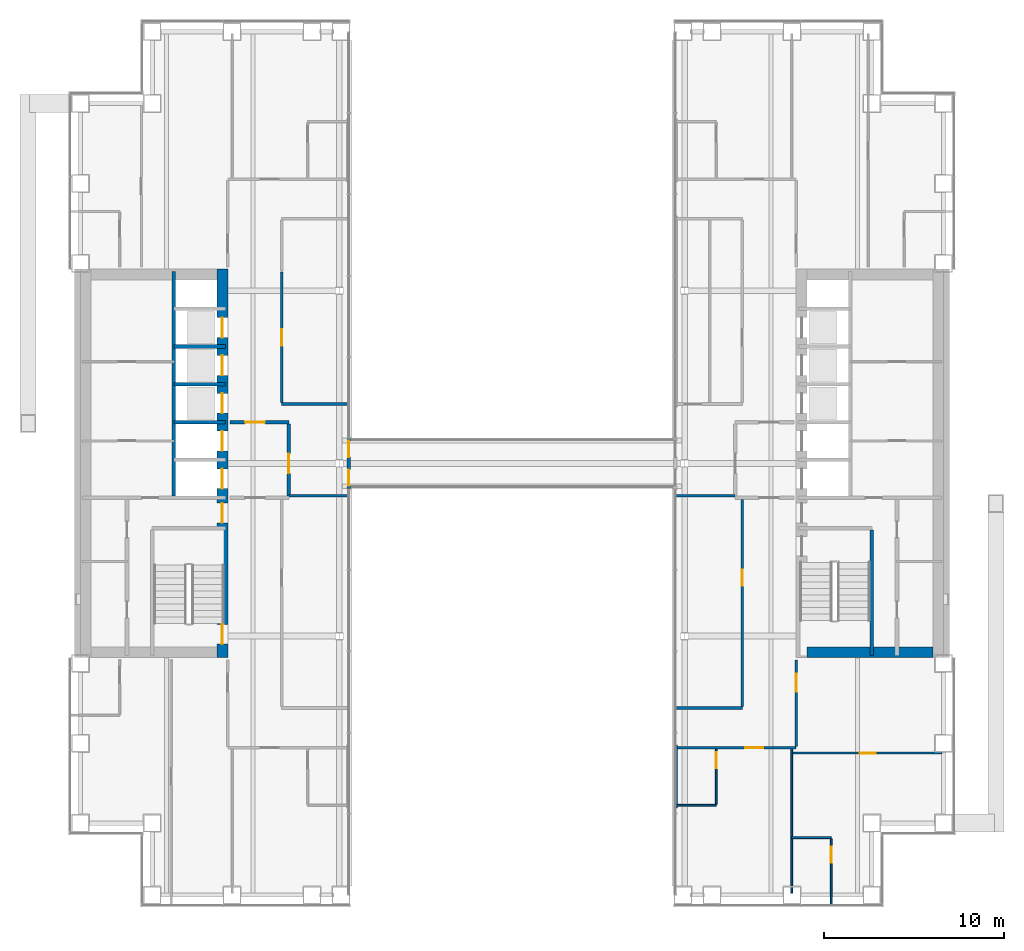
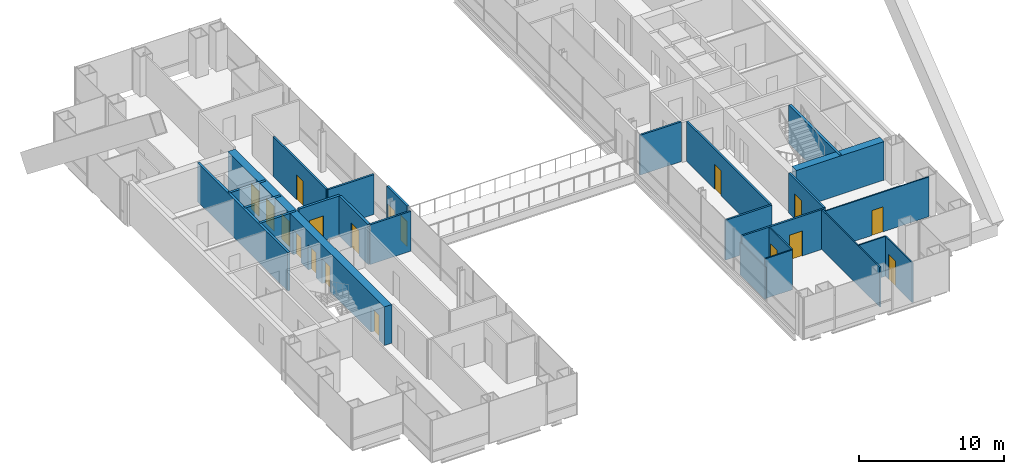
# One storey, part 15 of 19: 25 walls, 18 doors, 18 openings.
"""IFC4 building model written with IfcOpenShell, lengths in metres."""

import ifcopenshell
import ifcopenshell.guid

model = None  # the IFC model being written
_history = None  # IfcOwnerHistory: only IFC2X3 demands one
_inside = {}  # id of a spatial element -> (the spatial element, [elements in it])
_under = {}  # id of a project, library or spatial element -> (it, [spatial elements below it])
_declared = {}  # id of a project -> (the project, [libraries it declares])
_typed = {}  # id of a type object -> (the type object, [elements of that type])
_made_of = {}  # id of a material, layer set ... -> (it, [elements and type objects made of it])


def new_model(schema):
    """Start an empty IFC model of exactly this schema.

    Asked for "IFC4X3", IfcOpenShell would pick the latest addendum, in which some entities
    have other attributes; the version numbers below select the first issue.
    IFC2X3 requires an IfcOwnerHistory on every rooted entity: one is made here for all.
    """
    global model, _history
    if schema == "IFC4X3":
        model = ifcopenshell.file(schema_version=(4, 3, 0, 0))
    else:
        model = ifcopenshell.file(schema=schema)
    _inside.clear()
    _under.clear()
    _declared.clear()
    _typed.clear()
    _made_of.clear()
    _history = None
    if model.schema == "IFC2X3":
        org = make("IfcOrganization", Name="unknown")
        user = make(
            "IfcPersonAndOrganization",
            ThePerson=make("IfcPerson", FamilyName="unknown"),
            TheOrganization=org,
        )
        app = make(
            "IfcApplication",
            ApplicationDeveloper=org,
            Version="unknown",
            ApplicationFullName="unknown",
            ApplicationIdentifier="unknown",
        )
        _history = make(
            "IfcOwnerHistory",
            OwningUser=user,
            OwningApplication=app,
            ChangeAction="ADDED",
            CreationDate=0,
        )
    return model


def make(cls, **values):
    """One entity of the class cls with the attributes given. An attribute that is None is left unset."""
    return model.create_entity(
        cls, **{name: value for name, value in values.items() if value is not None}
    )


def rooted(cls, **values):
    """An entity with a GlobalId (a new one), such as an element, a storey or a relation."""
    return make(cls, GlobalId=ifcopenshell.guid.new(), OwnerHistory=_history, **values)


def si_unit(unit_type, name, prefix=None):
    """IfcSIUnit, for example si_unit("LENGTHUNIT", "METRE", prefix="MILLI")."""
    return make("IfcSIUnit", UnitType=unit_type, Prefix=prefix, Name=name)


def assignment(units):
    """IfcUnitAssignment: the units of a project."""
    return None if units is None else make("IfcUnitAssignment", Units=units)


def point(xyz):
    """IfcCartesianPoint."""
    return None if xyz is None else make("IfcCartesianPoint", Coordinates=xyz)


def direction(xyz):
    """IfcDirection."""
    return None if xyz is None else make("IfcDirection", DirectionRatios=xyz)


def frame(location, z_axis=None, x_axis=None):
    """IfcAxis2Placement3D, a coordinate frame: its origin and axes. An axis left out is left unset."""
    return make(
        "IfcAxis2Placement3D",
        Location=point(location),
        Axis=direction(z_axis),
        RefDirection=direction(x_axis),
    )


def frame_2d(location, x_axis=None):
    """IfcAxis2Placement2D, a coordinate frame in the plane: its origin and x axis."""
    return make(
        "IfcAxis2Placement2D", Location=point(location), RefDirection=direction(x_axis)
    )


def origin():
    """The frame at (0, 0, 0) with its axes left unset."""
    return frame((0.0, 0.0, 0.0))


def place(relative_to, where):
    """IfcLocalPlacement: puts the frame where relative to a parent placement (None: the world)."""
    return make(
        "IfcLocalPlacement", PlacementRelTo=relative_to, RelativePlacement=where
    )


def context(
    kind, dimensions, precision=None, world=None, true_north=None, identifier=None
):
    """IfcGeometricRepresentationContext, for example the 3D "Model" context."""
    return make(
        "IfcGeometricRepresentationContext",
        ContextIdentifier=identifier,
        ContextType=kind,
        CoordinateSpaceDimension=dimensions,
        Precision=precision,
        WorldCoordinateSystem=world,
        TrueNorth=true_north,
    )


def subcontext(parent, identifier, kind, view, scale=None):
    """IfcGeometricRepresentationSubContext, for example "Body" below "Model"."""
    return make(
        "IfcGeometricRepresentationSubContext",
        ContextIdentifier=identifier,
        ContextType=kind,
        ParentContext=parent,
        TargetScale=scale,
        TargetView=view,
    )


def project(units=None, contexts=None):
    """IfcProject with its units and contexts."""
    return rooted(
        "IfcProject",
        Name="project",
        RepresentationContexts=contexts,
        UnitsInContext=assignment(units),
    )


def spatial(cls, under=None, at=None, **own):
    """A site, building, storey or space (cls), placed at a placement, below another one or the project."""
    s = rooted(cls, ObjectPlacement=at, **own)
    if under is not None:
        _under.setdefault(under.id(), (under, []))[1].append(s)
    return s


def profile(cls, at=None, kind="AREA", **sizes):
    """A parametric profile (cls). Its sizes go by their IFC names, for example OverallWidth=200.0."""
    return make(cls, ProfileType=kind, Position=at, **sizes)


def rectangle(**sizes):
    """IfcRectangleProfileDef."""
    return profile("IfcRectangleProfileDef", **sizes)


def extrude(swept, where, along, depth):
    """IfcExtrudedAreaSolid: the profile swept, set in the frame where, extruded along a direction by depth."""
    return make(
        "IfcExtrudedAreaSolid",
        SweptArea=swept,
        Position=where,
        ExtrudedDirection=direction(along),
        Depth=depth,
    )


def shape(context_of_items, identifier, shape_type, items):
    """IfcShapeRepresentation: the items that make up one representation, for example the "Body"."""
    return make(
        "IfcShapeRepresentation",
        ContextOfItems=context_of_items,
        RepresentationIdentifier=identifier,
        RepresentationType=shape_type,
        Items=items,
    )


def material(Name=None, Category=None):
    """IfcMaterial."""
    return make("IfcMaterial", Name=Name, Category=Category)


def layer(
    of_material, thickness, ventilated=None, Name=None, Category=None, Priority=None
):
    """IfcMaterialLayer: one layer of a wall or slab, of a material (None: an air gap)."""
    return make(
        "IfcMaterialLayer",
        Material=of_material,
        LayerThickness=thickness,
        IsVentilated=ventilated,
        Name=Name,
        Category=Category,
        Priority=Priority,
    )


def layer_set(layers, Name=None):
    """IfcMaterialLayerSet."""
    return make("IfcMaterialLayerSet", MaterialLayers=layers, LayerSetName=Name)


def made_of(thing, what):
    """Note that an element or type object is made of a material, layer set ...; save() writes the relation."""
    if what is not None:
        _made_of.setdefault(what.id(), (what, []))[1].append(thing)
    return thing


def type_object(cls, material=None, **own):
    """A type object (cls), such as IfcWallType, which elements share."""
    return made_of(rooted(cls, **own), material)


def element(
    cls,
    number,
    at=None,
    inside=None,
    cuts=None,
    type_object=None,
    material=None,
    context=None,
    identifier="Body",
    shape_type=None,
    held_by="IfcProductDefinitionShape",
    body=None,
    shapes=None,
    **own,
):
    """One element of the class cls, such as IfcWall. Its Tag is "e" and its number.

    at: its placement. inside: the storey or other place that contains it. cuts: it is an
    opening in that element (IfcRelVoidsElement). A single representation is given by context,
    identifier, shape_type and body (its items); several are given by shapes. held_by: the class
    of the entity that holds the representations. save() writes the other relations.
    """
    e = rooted(cls, Tag="e%d" % number, ObjectPlacement=at, **own)
    if body is not None:
        shapes = [shape(context, identifier, shape_type, body)]
    if shapes is not None:
        e.Representation = make(held_by, Representations=shapes)
    if inside is not None:
        _inside.setdefault(inside.id(), (inside, []))[1].append(e)
    if cuts is not None:
        rooted(
            "IfcRelVoidsElement", RelatingBuildingElement=cuts, RelatedOpeningElement=e
        )
    if type_object is not None:
        _typed.setdefault(type_object.id(), (type_object, []))[1].append(e)
    return made_of(e, material)


def fill(opening, filler):
    """IfcRelFillsElement: the door or window that sits in an opening."""
    return rooted(
        "IfcRelFillsElement",
        RelatingOpeningElement=opening,
        RelatedBuildingElement=filler,
    )


def aggregate(whole, parts):
    """IfcRelAggregates: a whole, such as a stair, and the parts it consists of."""
    return rooted("IfcRelAggregates", RelatingObject=whole, RelatedObjects=parts)


def save(model, path):
    """Write the relations noted so far, then the file.

    IfcRelAggregates (storeys below a building ...), IfcRelContainedInSpatialStructure (elements
    in a storey), IfcRelDefinesByType, IfcRelAssociatesMaterial and IfcRelDeclares: one each for
    every whole, place, type object, material and project.
    """
    for whole, parts in _under.values():
        aggregate(whole, parts)
    for where, things in _inside.values():
        rooted(
            "IfcRelContainedInSpatialStructure",
            RelatedElements=things,
            RelatingStructure=where,
        )
    for kind, things in _typed.values():
        rooted("IfcRelDefinesByType", RelatedObjects=things, RelatingType=kind)
    for what, things in _made_of.values():
        rooted("IfcRelAssociatesMaterial", RelatedObjects=things, RelatingMaterial=what)
    for by, libraries in _declared.values():
        rooted("IfcRelDeclares", RelatingContext=by, RelatedDefinitions=libraries)
    model.write(path)


model = new_model("IFC4")

# Units and contexts
model_context = context("Model", 3, precision=1e-05, world=origin(), true_north=direction((0.0, 1.0)))
body_context = subcontext(model_context, "Body", "Model", "MODEL_VIEW")
ifc_project = project(units=[si_unit("LENGTHUNIT", "METRE"), si_unit("AREAUNIT", "SQUARE_METRE"), si_unit("VOLUMEUNIT", "CUBIC_METRE"), si_unit("PLANEANGLEUNIT", "RADIAN"), si_unit("MASSUNIT", "GRAM", prefix="KILO")], contexts=[model_context])

# Site, building, storey
site_placement = place(None, origin())
site = spatial("IfcSite", under=ifc_project, at=site_placement, CompositionType="ELEMENT")
building_placement = place(site_placement, origin())
building = spatial("IfcBuilding", under=site, at=building_placement, Name="Cobrizo Arcos Hotel Tower", CompositionType="ELEMENT")
storey_placement = place(building_placement, frame((0.0, 0.0, 70.5)))
storey = spatial("IfcBuildingStorey", under=building, at=storey_placement, Name="L16", CompositionType="ELEMENT", Elevation=70.5)

# Wall, opening, door
ifc_material_1 = material(Name="Gypsum board partition")
ifc_layer_1 = layer(ifc_material_1, 0.14990234375)
ifc_layer_set_1 = layer_set([ifc_layer_1], Name="Corridor wall EI 60 150")
wall_type_1 = type_object("IfcWallType", Name="Corridor wall EI 60 150", PredefinedType="PARTITIONING", material=ifc_layer_set_1)
wall_1_placement = place(storey_placement, frame((9.14990234375, -15.800048828125, 0.0), z_axis=(0.0, 0.0, 1.0), x_axis=(1.0, 0.0, 0.0)))
wall_1 = element("IfcWall", 1, at=wall_1_placement, inside=storey, type_object=wall_type_1, Name="Partition 006", PredefinedType="PARTITIONING", context=body_context, shape_type="SweptSolid", body=[
    extrude(rectangle(XDim=6.650146484375, YDim=0.14990234375, at=frame_2d((3.3251953125, 0.0))), origin(), (0.0, 0.0, 1.0), 3.35009765625),
])
opening_1_placement = place(wall_1_placement, frame((3.802978515625, 0.0, 0.0)))
opening_1 = element("IfcOpeningElement", 2, at=opening_1_placement, cuts=wall_1, Name="Opening GD-03", PredefinedType="OPENING", context=body_context, shape_type="SweptSolid", body=[
    extrude(rectangle(XDim=1.0, YDim=2.10009765625, at=frame_2d((0.5, 1.050048828125))), frame((0.0, 0.0869140625, 0.0), z_axis=(0.0, -1.0, 0.0), x_axis=(1.0, 0.0, 0.0)), (0.0, 0.0, 1.0), 0.173828125),
])
ifc_material_2 = material(Name="Timber door leaf", Category="wood")
door_type_1 = type_object("IfcDoorType", Name="Guest room door FD30S 1000x2100", OperationType="SINGLE_SWING_LEFT", PredefinedType="DOOR", material=ifc_material_2)
door_1_placement = place(opening_1_placement, origin())
door_1 = element("IfcDoor", 3, at=door_1_placement, inside=storey, type_object=door_type_1, Name="Door GD-03", OperationType="SINGLE_SWING_RIGHT", OverallHeight=2.10009765625, OverallWidth=1.0, PredefinedType="DOOR", context=body_context, shape_type="SweptSolid", body=[
    extrude(rectangle(XDim=1.0, YDim=2.10009765625, at=frame_2d((0.5, 1.050048828125))), frame((0.0, 0.02490234375, 0.0), z_axis=(0.0, -1.0, 0.0), x_axis=(1.0, 0.0, 0.0)), (0.0, 0.0, 1.0), 0.050048828125),
])
fill(opening_1, door_1)

# Walls
wall_2_placement = place(storey_placement, frame((9.1201171875, -13.60009765625, 0.0), z_axis=(0.0, 0.0, 1.0), x_axis=(1.0, 0.0, 0.0)))
element("IfcWall", 4, at=wall_2_placement, inside=storey, type_object=wall_type_1, Name="Partition 009", PredefinedType="PARTITIONING", context=body_context, shape_type="SweptSolid", body=[
    extrude(rectangle(XDim=3.679931640625, YDim=0.14990234375, at=frame_2d((1.83984375, 0.0))), origin(), (0.0, 0.0, 1.0), 3.35009765625),
])
for number, where, z_axis, x_axis, name in (
    (5, (-12.39990234375, -1.800048828125, 0.0), (0.0, 0.0, 1.0), (1.0, 0.0, 0.0), "Partition 018"),
    (6, (9.1201171875, -1.800048828125, 0.0), (0.0, 0.0, 1.0), (1.0, 0.0, 0.0), "Partition 019"),
):
    element("IfcWall", number, at=place(storey_placement, frame(where, z_axis=z_axis, x_axis=x_axis)), inside=storey, type_object=wall_type_1, Name=name, PredefinedType="PARTITIONING", context=body_context, shape_type="SweptSolid", body=[
        extrude(rectangle(XDim=3.27978515625, YDim=0.14990234375, at=frame_2d((1.639892578125, 0.0))), origin(), (0.0, 0.0, 1.0), 3.35009765625),
    ])
wall_3_placement = place(storey_placement, frame((-12.800048828125, 3.300048828125, 0.0), z_axis=(0.0, 0.0, 1.0), x_axis=(1.0, 0.0, 0.0)))
element("IfcWall", 7, at=wall_3_placement, inside=storey, type_object=wall_type_1, Name="Partition 028", PredefinedType="PARTITIONING", context=body_context, shape_type="SweptSolid", body=[
    extrude(rectangle(XDim=3.679931640625, YDim=0.14990234375, at=frame_2d((1.83984375, 0.0))), origin(), (0.0, 0.0, 1.0), 3.35009765625),
])

# Wall, opening, door
wall_4_placement = place(storey_placement, frame((-12.800048828125, 3.375, 0.0), z_axis=(0.0, 0.0, 1.0), x_axis=(0.0, 1.0, 0.0)))
wall_4 = element("IfcWall", 8, at=wall_4_placement, inside=storey, type_object=wall_type_1, Name="Partition 058", PredefinedType="PARTITIONING", context=body_context, shape_type="SweptSolid", body=[
    extrude(rectangle(XDim=7.27490234375, YDim=0.14990234375, at=frame_2d((3.637451171875, 0.0))), origin(), (0.0, 0.0, 1.0), 3.35009765625),
])
opening_2_placement = place(wall_4_placement, frame((3.175048828125, 0.0, 0.0)))
opening_2 = element("IfcOpeningElement", 9, at=opening_2_placement, cuts=wall_4, Name="Opening RD-15", PredefinedType="OPENING", context=body_context, shape_type="SweptSolid", body=[
    extrude(rectangle(XDim=0.89990234375, YDim=2.10009765625, at=frame_2d((0.449951171875, 1.050048828125))), frame((0.0, 0.0869140625, 0.0), z_axis=(0.0, -1.0, 0.0), x_axis=(1.0, 0.0, 0.0)), (0.0, 0.0, 1.0), 0.173828125),
])
door_type_2 = type_object("IfcDoorType", Name="Room door FD30 900x2100", OperationType="SINGLE_SWING_LEFT", PredefinedType="DOOR", material=ifc_material_2)
door_2_placement = place(opening_2_placement, origin())
door_2 = element("IfcDoor", 10, at=door_2_placement, inside=storey, type_object=door_type_2, Name="Door RD-15", OperationType="SINGLE_SWING_LEFT", OverallHeight=2.10009765625, OverallWidth=0.89990234375, PredefinedType="DOOR", context=body_context, shape_type="SweptSolid", body=[
    extrude(rectangle(XDim=0.89990234375, YDim=2.10009765625, at=frame_2d((0.449951171875, 1.050048828125))), frame((0.0, 0.02490234375, 0.0), z_axis=(0.0, -1.0, 0.0), x_axis=(1.0, 0.0, 0.0)), (0.0, 0.0, 1.0), 0.050048828125),
])
fill(opening_2, door_2)

wall_5_placement = place(storey_placement, frame((12.800048828125, -13.52490234375, 0.0), z_axis=(0.0, 0.0, 1.0), x_axis=(0.0, 1.0, 0.0)))
wall_5 = element("IfcWall", 11, at=wall_5_placement, inside=storey, type_object=wall_type_1, Name="Partition 072", PredefinedType="PARTITIONING", context=body_context, shape_type="SweptSolid", body=[
    extrude(rectangle(XDim=11.52490234375, YDim=0.14990234375, at=frame_2d((5.762451171875, 0.0))), origin(), (0.0, 0.0, 1.0), 3.35009765625),
])
opening_3_placement = place(wall_5_placement, frame((6.72509765625, 0.0, 0.0)))
opening_3 = element("IfcOpeningElement", 12, at=opening_3_placement, cuts=wall_5, Name="Opening RD-16", PredefinedType="OPENING", context=body_context, shape_type="SweptSolid", body=[
    extrude(rectangle(XDim=0.89990234375, YDim=2.10009765625, at=frame_2d((0.449951171875, 1.050048828125))), frame((0.0, 0.0869140625, 0.0), z_axis=(0.0, -1.0, 0.0), x_axis=(1.0, 0.0, 0.0)), (0.0, 0.0, 1.0), 0.173828125),
])
door_3_placement = place(opening_3_placement, origin())
door_3 = element("IfcDoor", 13, at=door_3_placement, inside=storey, type_object=door_type_2, Name="Door RD-16", OperationType="SINGLE_SWING_RIGHT", OverallHeight=2.10009765625, OverallWidth=0.89990234375, PredefinedType="DOOR", context=body_context, shape_type="SweptSolid", body=[
    extrude(rectangle(XDim=0.89990234375, YDim=2.10009765625, at=frame_2d((0.449951171875, 1.050048828125))), frame((0.0, 0.02490234375, 0.0), z_axis=(0.0, -1.0, 0.0), x_axis=(1.0, 0.0, 0.0)), (0.0, 0.0, 1.0), 0.050048828125),
])
fill(opening_3, door_3)

wall_6_placement = place(storey_placement, frame((15.800048828125, -15.72509765625, 0.0), z_axis=(0.0, 0.0, 1.0), x_axis=(0.0, 1.0, 0.0)))
wall_6 = element("IfcWall", 14, at=wall_6_placement, inside=storey, type_object=wall_type_1, Name="Partition 077", PredefinedType="PARTITIONING", context=body_context, shape_type="SweptSolid", body=[
    extrude(rectangle(XDim=4.80517578125, YDim=0.14990234375, at=frame_2d((2.402587890625, 0.0))), origin(), (0.0, 0.0, 1.0), 3.35009765625),
])
opening_4_placement = place(wall_6_placement, frame((3.02490234375, 0.0, 0.0)))
opening_4 = element("IfcOpeningElement", 15, at=opening_4_placement, cuts=wall_6, Name="Opening GD-07", PredefinedType="OPENING", context=body_context, shape_type="SweptSolid", body=[
    extrude(rectangle(XDim=1.0, YDim=2.10009765625, at=frame_2d((0.5, 1.050048828125))), frame((0.0, 0.0869140625, 0.0), z_axis=(0.0, -1.0, 0.0), x_axis=(1.0, 0.0, 0.0)), (0.0, 0.0, 1.0), 0.173828125),
])
door_4_placement = place(opening_4_placement, origin())
door_4 = element("IfcDoor", 16, at=door_4_placement, inside=storey, type_object=door_type_1, Name="Door GD-07", OperationType="SINGLE_SWING_LEFT", OverallHeight=2.10009765625, OverallWidth=1.0, PredefinedType="DOOR", context=body_context, shape_type="SweptSolid", body=[
    extrude(rectangle(XDim=1.0, YDim=2.10009765625, at=frame_2d((0.5, 1.050048828125))), frame((0.0, 0.02490234375, 0.0), z_axis=(0.0, -1.0, 0.0), x_axis=(1.0, 0.0, 0.0)), (0.0, 0.0, 1.0), 0.050048828125),
])
fill(opening_4, door_4)

# Wall, openings, doors
ifc_material_3 = material(Name="Aluminium 6063-T6 anodised pale", Category="aluminium")
ifc_layer_2 = layer(ifc_material_3, 0.199951171875)
ifc_layer_set_2 = layer_set([ifc_layer_2], Name="EW-4 sky bridge door frame wall")
wall_type_2 = type_object("IfcWallType", Name="EW-4 sky bridge door frame wall", PredefinedType="SOLIDWALL", material=ifc_layer_set_2)
wall_7_placement = place(storey_placement, frame((-9.074951171875, -1.39990234375, 0.0), z_axis=(0.0, 0.0, 1.0), x_axis=(0.0, 1.0, 0.0)))
wall_7 = element("IfcWall", 17, at=wall_7_placement, inside=storey, type_object=wall_type_2, Name="Sky bridge door wall A W", PredefinedType="SOLIDWALL", context=body_context, shape_type="SweptSolid", body=[
    extrude(rectangle(XDim=2.7998046875, YDim=0.199951171875, at=frame_2d((1.39990234375, 0.0))), origin(), (0.0, 0.0, 1.0), 3.5),
])
opening_5_placement = place(wall_7_placement, frame((0.14990234375, 0.0, 0.0)))
opening_5 = element("IfcOpeningElement", 18, at=opening_5_placement, cuts=wall_7, Name="Opening E-30", PredefinedType="OPENING", context=body_context, shape_type="SweptSolid", body=[
    extrude(rectangle(XDim=0.89990234375, YDim=2.10009765625, at=frame_2d((0.449951171875, 1.050048828125))), frame((0.0, 0.112060546875, 0.0), z_axis=(0.0, -1.0, 0.0), x_axis=(1.0, 0.0, 0.0)), (0.0, 0.0, 1.0), 0.223876953125),
])
opening_6_placement = place(wall_7_placement, frame((1.75, 0.0, 0.0)))
opening_6 = element("IfcOpeningElement", 19, at=opening_6_placement, cuts=wall_7, Name="Opening E-31", PredefinedType="OPENING", context=body_context, shape_type="SweptSolid", body=[
    extrude(rectangle(XDim=0.89990234375, YDim=2.10009765625, at=frame_2d((0.449951171875, 1.050048828125))), frame((0.0, 0.112060546875, 0.0), z_axis=(0.0, -1.0, 0.0), x_axis=(1.0, 0.0, 0.0)), (0.0, 0.0, 1.0), 0.223876953125),
])
ifc_material_4 = material(Name="Aluminium 6063-T6 and clear laminated glass", Category="aluminium")
door_type_3 = type_object("IfcDoorType", Name="D-B2 sky bridge single door 900x2100", OperationType="SINGLE_SWING_LEFT", PredefinedType="DOOR", material=ifc_material_4)
door_5_placement = place(opening_5_placement, origin())
door_5 = element("IfcDoor", 20, at=door_5_placement, inside=storey, type_object=door_type_3, Name="Sky bridge door wall A W door E-30", OperationType="SINGLE_SWING_LEFT", OverallHeight=2.10009765625, OverallWidth=0.89990234375, PredefinedType="DOOR", context=body_context, shape_type="SweptSolid", body=[
    extrude(rectangle(XDim=0.89990234375, YDim=2.10009765625, at=frame_2d((0.449951171875, 1.050048828125))), frame((0.0, 0.02490234375, 0.0), z_axis=(0.0, -1.0, 0.0), x_axis=(1.0, 0.0, 0.0)), (0.0, 0.0, 1.0), 0.050048828125),
])
fill(opening_5, door_5)
door_6_placement = place(opening_6_placement, origin())
door_6 = element("IfcDoor", 21, at=door_6_placement, inside=storey, type_object=door_type_3, Name="Sky bridge door wall A W door E-31", OperationType="SINGLE_SWING_RIGHT", OverallHeight=2.10009765625, OverallWidth=0.89990234375, PredefinedType="DOOR", context=body_context, shape_type="SweptSolid", body=[
    extrude(rectangle(XDim=0.89990234375, YDim=2.10009765625, at=frame_2d((0.449951171875, 1.050048828125))), frame((0.0, 0.02490234375, 0.0), z_axis=(0.0, -1.0, 0.0), x_axis=(1.0, 0.0, 0.0)), (0.0, 0.0, 1.0), 0.050048828125),
])
fill(opening_6, door_6)

# Walls
ifc_layer_3 = layer(ifc_material_1, 0.10009765625)
ifc_layer_set_3 = layer_set([ifc_layer_3], Name="Partition EI 30 100")
wall_type_3 = type_object("IfcWallType", Name="Partition EI 30 100", PredefinedType="PARTITIONING", material=ifc_layer_set_3)
wall_8_placement = place(storey_placement, frame((15.550048828125, -20.800048828125, 0.0), z_axis=(0.0, 0.0, 1.0), x_axis=(1.0, 0.0, 0.0)))
element("IfcWall", 22, at=wall_8_placement, inside=storey, type_object=wall_type_3, Name="Partition 001", PredefinedType="PARTITIONING", context=body_context, shape_type="SweptSolid", body=[
    extrude(rectangle(XDim=2.199951171875, YDim=0.10009765625, at=frame_2d((1.10009765625, 0.0))), origin(), (0.0, 0.0, 1.0), 3.35009765625),
])
wall_9_placement = place(storey_placement, frame((9.14990234375, -19.0, 0.0), z_axis=(0.0, 0.0, 1.0), x_axis=(1.0, 0.0, 0.0)))
element("IfcWall", 23, at=wall_9_placement, inside=storey, type_object=wall_type_3, Name="Partition 003", PredefinedType="PARTITIONING", context=body_context, shape_type="SweptSolid", body=[
    extrude(rectangle(XDim=2.2001953125, YDim=0.10009765625, at=frame_2d((1.10009765625, 0.0))), origin(), (0.0, 0.0, 1.0), 3.35009765625),
])

# Wall, opening, door
wall_10_placement = place(storey_placement, frame((15.550048828125, -16.10009765625, 0.0), z_axis=(0.0, 0.0, 1.0), x_axis=(1.0, 0.0, 0.0)))
wall_10 = element("IfcWall", 24, at=wall_10_placement, inside=storey, type_object=wall_type_3, Name="Partition 004", PredefinedType="PARTITIONING", context=body_context, shape_type="SweptSolid", body=[
    extrude(rectangle(XDim=8.329833984375, YDim=0.10009765625, at=frame_2d((4.1650390625, 0.0))), origin(), (0.0, 0.0, 1.0), 3.35009765625),
])
opening_7_placement = place(wall_10_placement, frame((3.778076171875, 0.0, 0.0)))
opening_7 = element("IfcOpeningElement", 25, at=opening_7_placement, cuts=wall_10, Name="Opening RD-13", PredefinedType="OPENING", context=body_context, shape_type="SweptSolid", body=[
    extrude(rectangle(XDim=0.89990234375, YDim=2.10009765625, at=frame_2d((0.449951171875, 1.050048828125))), frame((0.0, 0.06201171875, 0.0), z_axis=(0.0, -1.0, 0.0), x_axis=(1.0, 0.0, 0.0)), (0.0, 0.0, 1.0), 0.1240234375),
])
door_7_placement = place(opening_7_placement, origin())
door_7 = element("IfcDoor", 26, at=door_7_placement, inside=storey, type_object=door_type_2, Name="Door RD-13", OperationType="SINGLE_SWING_LEFT", OverallHeight=2.10009765625, OverallWidth=0.89990234375, PredefinedType="DOOR", context=body_context, shape_type="SweptSolid", body=[
    extrude(rectangle(XDim=0.89990234375, YDim=2.10009765625, at=frame_2d((0.449951171875, 1.050048828125))), frame((0.0, 0.02490234375, 0.0), z_axis=(0.0, -1.0, 0.0), x_axis=(1.0, 0.0, 0.0)), (0.0, 0.0, 1.0), 0.050048828125),
])
fill(opening_7, door_7)

# Wall
wall_11_placement = place(storey_placement, frame((9.14990234375, -19.139892578125, 0.0), z_axis=(0.0, 0.0, 1.0), x_axis=(0.0, 1.0, 0.0)))
element("IfcWall", 27, at=wall_11_placement, inside=storey, type_object=wall_type_3, Name="Partition 065", PredefinedType="PARTITIONING", context=body_context, shape_type="SweptSolid", body=[
    extrude(rectangle(XDim=3.47998046875, YDim=0.10009765625, at=frame_2d((1.739990234375, 0.0))), origin(), (0.0, 0.0, 1.0), 2.73291015625),
])

# Wall, opening, door
wall_12_placement = place(storey_placement, frame((11.35009765625, -18.949951171875, 0.0), z_axis=(0.0, 0.0, 1.0), x_axis=(0.0, 1.0, 0.0)))
wall_12 = element("IfcWall", 28, at=wall_12_placement, inside=storey, type_object=wall_type_3, Name="Partition 069", PredefinedType="PARTITIONING", context=body_context, shape_type="SweptSolid", body=[
    extrude(rectangle(XDim=3.074951171875, YDim=0.10009765625, at=frame_2d((1.53759765625, 0.0))), origin(), (0.0, 0.0, 1.0), 3.35009765625),
])
opening_8_placement = place(wall_12_placement, frame((1.99609375, 0.0, 0.0)))
opening_8 = element("IfcOpeningElement", 29, at=opening_8_placement, cuts=wall_12, Name="Opening ED-03", PredefinedType="OPENING", context=body_context, shape_type="SweptSolid", body=[
    extrude(rectangle(XDim=0.89990234375, YDim=2.10009765625, at=frame_2d((0.449951171875, 1.050048828125))), frame((0.0, 0.06201171875, 0.0), z_axis=(0.0, -1.0, 0.0), x_axis=(1.0, 0.0, 0.0)), (0.0, 0.0, 1.0), 0.1240234375),
])
door_type_4 = type_object("IfcDoorType", Name="En-suite door 900x2100", OperationType="SINGLE_SWING_LEFT", PredefinedType="DOOR", material=ifc_material_2)
door_8_placement = place(opening_8_placement, origin())
door_8 = element("IfcDoor", 30, at=door_8_placement, inside=storey, type_object=door_type_4, Name="Door ED-03", OperationType="SINGLE_SWING_LEFT", OverallHeight=2.10009765625, OverallWidth=0.89990234375, PredefinedType="DOOR", context=body_context, shape_type="SweptSolid", body=[
    extrude(rectangle(XDim=0.89990234375, YDim=2.10009765625, at=frame_2d((0.449951171875, 1.050048828125))), frame((0.0, 0.02490234375, 0.0), z_axis=(0.0, -1.0, 0.0), x_axis=(1.0, 0.0, 0.0)), (0.0, 0.0, 1.0), 0.050048828125),
])
fill(opening_8, door_8)

# Wall
wall_13_placement = place(storey_placement, frame((15.550048828125, -23.8798828125, 0.0), z_axis=(0.0, 0.0, 1.0), x_axis=(0.0, 1.0, 0.0)))
element("IfcWall", 31, at=wall_13_placement, inside=storey, type_object=wall_type_3, Name="Partition 075", PredefinedType="PARTITIONING", context=body_context, shape_type="SweptSolid", body=[
    extrude(rectangle(XDim=8.0048828125, YDim=0.10009765625, at=frame_2d((4.00244140625, 0.0))), origin(), (0.0, 0.0, 1.0), 3.35009765625),
])

# Wall, opening, door
wall_14_placement = place(storey_placement, frame((17.75, -24.530029296875, 0.0), z_axis=(0.0, 0.0, 1.0), x_axis=(0.0, 1.0, 0.0)))
wall_14 = element("IfcWall", 32, at=wall_14_placement, inside=storey, type_object=wall_type_3, Name="Partition 079", PredefinedType="PARTITIONING", context=body_context, shape_type="SweptSolid", body=[
    extrude(rectangle(XDim=3.679931640625, YDim=0.10009765625, at=frame_2d((1.83984375, 0.0))), origin(), (0.0, 0.0, 1.0), 3.35009765625),
])
opening_9_placement = place(wall_14_placement, frame((2.320068359375, 0.0, 0.0)))
opening_9 = element("IfcOpeningElement", 33, at=opening_9_placement, cuts=wall_14, Name="Opening ED-07", PredefinedType="OPENING", context=body_context, shape_type="SweptSolid", body=[
    extrude(rectangle(XDim=0.89990234375, YDim=2.10009765625, at=frame_2d((0.449951171875, 1.050048828125))), frame((0.0, 0.06201171875, 0.0), z_axis=(0.0, -1.0, 0.0), x_axis=(1.0, 0.0, 0.0)), (0.0, 0.0, 1.0), 0.1240234375),
])
door_9_placement = place(opening_9_placement, origin())
door_9 = element("IfcDoor", 34, at=door_9_placement, inside=storey, type_object=door_type_4, Name="Door ED-07", OperationType="SINGLE_SWING_LEFT", OverallHeight=2.10009765625, OverallWidth=0.89990234375, PredefinedType="DOOR", context=body_context, shape_type="SweptSolid", body=[
    extrude(rectangle(XDim=0.89990234375, YDim=2.10009765625, at=frame_2d((0.449951171875, 1.050048828125))), frame((0.0, 0.02490234375, 0.0), z_axis=(0.0, -1.0, 0.0), x_axis=(1.0, 0.0, 0.0)), (0.0, 0.0, 1.0), 0.050048828125),
])
fill(opening_9, door_9)

# Wall
ifc_material_5 = material(Name="Concrete f'c 60 MPa", Category="concrete")
ifc_layer_4 = layer(ifc_material_5, 0.60009765625)
ifc_layer_set_4 = layer_set([ifc_layer_4], Name="RC core wall 600 f'c 60")
wall_type_4 = type_object("IfcWallType", Name="RC core wall 600 f'c 60", PredefinedType="SHEAR", material=ifc_layer_set_4)
wall_15_placement = place(storey_placement, frame((16.39990234375, -10.5, 0.0), z_axis=(0.0, 0.0, 1.0), x_axis=(1.0, 0.0, 0.0)))
element("IfcWall", 35, at=wall_15_placement, inside=storey, type_object=wall_type_4, Name="Core wall CW1, east core, south end, L16", PredefinedType="SHEAR", context=body_context, shape_type="SweptSolid", body=[
    extrude(rectangle(XDim=7.0, YDim=0.60009765625, at=frame_2d((3.5, 0.0))), origin(), (0.0, 0.0, 1.0), 3.25),
])

# Wall, openings, doors
wall_16_placement = place(storey_placement, frame((-16.10009765625, -10.800048828125, 0.0), z_axis=(0.0, 0.0, 1.0), x_axis=(0.0, 1.0, 0.0)))
wall_16 = element("IfcWall", 36, at=wall_16_placement, inside=storey, type_object=wall_type_4, Name="Core wall CW1, west core, inner face, L16", PredefinedType="SHEAR", context=body_context, shape_type="SweptSolid", body=[
    extrude(rectangle(XDim=21.60009765625, YDim=0.60009765625, at=frame_2d((10.800048828125, 0.0))), origin(), (0.0, 0.0, 1.0), 3.25),
])
opening_10_placement = place(wall_16_placement, frame((9.39990234375, 0.0, 0.0)))
opening_10 = element("IfcOpeningElement", 37, at=opening_10_placement, cuts=wall_16, Name="Opening LD-01", PredefinedType="OPENING", context=body_context, shape_type="SweptSolid", body=[
    extrude(rectangle(XDim=1.10009765625, YDim=2.10009765625, at=frame_2d((0.550048828125, 1.050048828125))), frame((0.0, 0.31201171875, 0.0), z_axis=(0.0, -1.0, 0.0), x_axis=(1.0, 0.0, 0.0)), (0.0, 0.0, 1.0), 0.6240234375),
])
opening_11_placement = place(wall_16_placement, frame((11.5, 0.0, 0.0)))
opening_11 = element("IfcOpeningElement", 38, at=opening_11_placement, cuts=wall_16, Name="Opening LD-02", PredefinedType="OPENING", context=body_context, shape_type="SweptSolid", body=[
    extrude(rectangle(XDim=1.10009765625, YDim=2.10009765625, at=frame_2d((0.550048828125, 1.050048828125))), frame((0.0, 0.31201171875, 0.0), z_axis=(0.0, -1.0, 0.0), x_axis=(1.0, 0.0, 0.0)), (0.0, 0.0, 1.0), 0.6240234375),
])
opening_12_placement = place(wall_16_placement, frame((13.60009765625, 0.0, 0.0)))
opening_12 = element("IfcOpeningElement", 39, at=opening_12_placement, cuts=wall_16, Name="Opening LD-03", PredefinedType="OPENING", context=body_context, shape_type="SweptSolid", body=[
    extrude(rectangle(XDim=1.10009765625, YDim=2.10009765625, at=frame_2d((0.550048828125, 1.050048828125))), frame((0.0, 0.31201171875, 0.0), z_axis=(0.0, -1.0, 0.0), x_axis=(1.0, 0.0, 0.0)), (0.0, 0.0, 1.0), 0.6240234375),
])
opening_13_placement = place(wall_16_placement, frame((15.699951171875, 0.0, 0.0)))
opening_13 = element("IfcOpeningElement", 40, at=opening_13_placement, cuts=wall_16, Name="Opening LD-04", PredefinedType="OPENING", context=body_context, shape_type="SweptSolid", body=[
    extrude(rectangle(XDim=1.10009765625, YDim=2.10009765625, at=frame_2d((0.550048828125, 1.050048828125))), frame((0.0, 0.31201171875, 0.0), z_axis=(0.0, -1.0, 0.0), x_axis=(1.0, 0.0, 0.0)), (0.0, 0.0, 1.0), 0.6240234375),
])
opening_14_placement = place(wall_16_placement, frame((17.800048828125, 0.0, 0.0)))
opening_14 = element("IfcOpeningElement", 41, at=opening_14_placement, cuts=wall_16, Name="Opening LD-05", PredefinedType="OPENING", context=body_context, shape_type="SweptSolid", body=[
    extrude(rectangle(XDim=1.10009765625, YDim=2.10009765625, at=frame_2d((0.550048828125, 1.050048828125))), frame((0.0, 0.31201171875, 0.0), z_axis=(0.0, -1.0, 0.0), x_axis=(1.0, 0.0, 0.0)), (0.0, 0.0, 1.0), 0.6240234375),
])
opening_15_placement = place(wall_16_placement, frame((0.758056640625, 0.0, 0.0)))
opening_15 = element("IfcOpeningElement", 42, at=opening_15_placement, cuts=wall_16, Name="Opening SD-01", PredefinedType="OPENING", context=body_context, shape_type="SweptSolid", body=[
    extrude(rectangle(XDim=1.10009765625, YDim=2.10009765625, at=frame_2d((0.550048828125, 1.050048828125))), frame((0.0, 0.31201171875, 0.0), z_axis=(0.0, -1.0, 0.0), x_axis=(1.0, 0.0, 0.0)), (0.0, 0.0, 1.0), 0.6240234375),
])
opening_16_placement = place(wall_16_placement, frame((7.5, 0.0, 0.0)))
opening_16 = element("IfcOpeningElement", 43, at=opening_16_placement, cuts=wall_16, Name="Opening FD-01", PredefinedType="OPENING", context=body_context, shape_type="SweptSolid", body=[
    extrude(rectangle(XDim=1.10009765625, YDim=2.10009765625, at=frame_2d((0.550048828125, 1.050048828125))), frame((0.0, 0.31201171875, 0.0), z_axis=(0.0, -1.0, 0.0), x_axis=(1.0, 0.0, 0.0)), (0.0, 0.0, 1.0), 0.6240234375),
])
ifc_material_6 = material(Name="Steel door leaf", Category="steel")
door_type_5 = type_object("IfcDoorType", Name="Fire door FD60 1100x2100", OperationType="SINGLE_SWING_LEFT", PredefinedType="DOOR", material=ifc_material_6)
door_10_placement = place(opening_16_placement, origin())
door_10 = element("IfcDoor", 44, at=door_10_placement, inside=storey, type_object=door_type_5, Name="Door FD-01", OperationType="SINGLE_SWING_RIGHT", OverallHeight=2.10009765625, OverallWidth=1.10009765625, PredefinedType="DOOR", context=body_context, shape_type="SweptSolid", body=[
    extrude(rectangle(XDim=1.10009765625, YDim=2.10009765625, at=frame_2d((0.550048828125, 1.050048828125))), frame((0.0, 0.02490234375, 0.0), z_axis=(0.0, -1.0, 0.0), x_axis=(1.0, 0.0, 0.0)), (0.0, 0.0, 1.0), 0.050048828125),
])
fill(opening_16, door_10)
door_type_6 = type_object("IfcDoorType", Name="Lift landing door 1100x2100", OperationType="SLIDING_TO_LEFT", PredefinedType="DOOR", material=ifc_material_6)
door_11_placement = place(opening_10_placement, origin())
door_11 = element("IfcDoor", 45, at=door_11_placement, inside=storey, type_object=door_type_6, Name="Lift landing door LD-01", OperationType="SLIDING_TO_LEFT", OverallHeight=2.10009765625, OverallWidth=1.10009765625, PredefinedType="DOOR", context=body_context, shape_type="SweptSolid", body=[
    extrude(rectangle(XDim=1.10009765625, YDim=2.10009765625, at=frame_2d((0.550048828125, 1.050048828125))), frame((0.0, 0.02490234375, 0.0), z_axis=(0.0, -1.0, 0.0), x_axis=(1.0, 0.0, 0.0)), (0.0, 0.0, 1.0), 0.050048828125),
])
fill(opening_10, door_11)
door_12_placement = place(opening_11_placement, origin())
door_12 = element("IfcDoor", 46, at=door_12_placement, inside=storey, type_object=door_type_6, Name="Lift landing door LD-02", OperationType="SLIDING_TO_LEFT", OverallHeight=2.10009765625, OverallWidth=1.10009765625, PredefinedType="DOOR", context=body_context, shape_type="SweptSolid", body=[
    extrude(rectangle(XDim=1.10009765625, YDim=2.10009765625, at=frame_2d((0.550048828125, 1.050048828125))), frame((0.0, 0.02490234375, 0.0), z_axis=(0.0, -1.0, 0.0), x_axis=(1.0, 0.0, 0.0)), (0.0, 0.0, 1.0), 0.050048828125),
])
fill(opening_11, door_12)
door_13_placement = place(opening_12_placement, origin())
door_13 = element("IfcDoor", 47, at=door_13_placement, inside=storey, type_object=door_type_6, Name="Lift landing door LD-03", OperationType="SLIDING_TO_LEFT", OverallHeight=2.10009765625, OverallWidth=1.10009765625, PredefinedType="DOOR", context=body_context, shape_type="SweptSolid", body=[
    extrude(rectangle(XDim=1.10009765625, YDim=2.10009765625, at=frame_2d((0.550048828125, 1.050048828125))), frame((0.0, 0.02490234375, 0.0), z_axis=(0.0, -1.0, 0.0), x_axis=(1.0, 0.0, 0.0)), (0.0, 0.0, 1.0), 0.050048828125),
])
fill(opening_12, door_13)
door_14_placement = place(opening_13_placement, origin())
door_14 = element("IfcDoor", 48, at=door_14_placement, inside=storey, type_object=door_type_6, Name="Lift landing door LD-04", OperationType="SLIDING_TO_LEFT", OverallHeight=2.10009765625, OverallWidth=1.10009765625, PredefinedType="DOOR", context=body_context, shape_type="SweptSolid", body=[
    extrude(rectangle(XDim=1.10009765625, YDim=2.10009765625, at=frame_2d((0.550048828125, 1.050048828125))), frame((0.0, 0.02490234375, 0.0), z_axis=(0.0, -1.0, 0.0), x_axis=(1.0, 0.0, 0.0)), (0.0, 0.0, 1.0), 0.050048828125),
])
fill(opening_13, door_14)
door_15_placement = place(opening_14_placement, origin())
door_15 = element("IfcDoor", 49, at=door_15_placement, inside=storey, type_object=door_type_6, Name="Lift landing door LD-05", OperationType="SLIDING_TO_LEFT", OverallHeight=2.10009765625, OverallWidth=1.10009765625, PredefinedType="DOOR", context=body_context, shape_type="SweptSolid", body=[
    extrude(rectangle(XDim=1.10009765625, YDim=2.10009765625, at=frame_2d((0.550048828125, 1.050048828125))), frame((0.0, 0.02490234375, 0.0), z_axis=(0.0, -1.0, 0.0), x_axis=(1.0, 0.0, 0.0)), (0.0, 0.0, 1.0), 0.050048828125),
])
fill(opening_14, door_15)
door_type_7 = type_object("IfcDoorType", Name="Stair door FD60S 1100x2100", OperationType="SINGLE_SWING_LEFT", PredefinedType="DOOR", material=ifc_material_6)
door_16_placement = place(opening_15_placement, origin())
door_16 = element("IfcDoor", 50, at=door_16_placement, inside=storey, type_object=door_type_7, Name="Door SD-01", OperationType="SINGLE_SWING_LEFT", OverallHeight=2.10009765625, OverallWidth=1.10009765625, PredefinedType="DOOR", context=body_context, shape_type="SweptSolid", body=[
    extrude(rectangle(XDim=1.10009765625, YDim=2.10009765625, at=frame_2d((0.550048828125, 1.050048828125))), frame((0.0, 0.02490234375, 0.0), z_axis=(0.0, -1.0, 0.0), x_axis=(1.0, 0.0, 0.0)), (0.0, 0.0, 1.0), 0.050048828125),
])
fill(opening_15, door_16)

# Wall
ifc_layer_5 = layer(ifc_material_1, 0.199951171875)
ifc_layer_set_5 = layer_set([ifc_layer_5], Name="Shaft wall EI 120 200")
wall_type_5 = type_object("IfcWallType", Name="Shaft wall EI 120 200", PredefinedType="PARTITIONING", material=ifc_layer_set_5)
wall_17_placement = place(storey_placement, frame((-18.800048828125, 2.300048828125, 0.0), z_axis=(0.0, 0.0, 1.0), x_axis=(1.0, 0.0, 0.0)))
element("IfcWall", 51, at=wall_17_placement, inside=storey, type_object=wall_type_5, Name="Partition 024", PredefinedType="PARTITIONING", context=body_context, shape_type="SweptSolid", body=[
    extrude(rectangle(XDim=2.880126953125, YDim=0.199951171875, at=frame_2d((1.43994140625, 0.0))), origin(), (0.0, 0.0, 1.0), 3.25),
])

# Wall, opening, door
wall_18_placement = place(storey_placement, frame((-15.679931640625, 2.300048828125, 0.0), z_axis=(0.0, 0.0, 1.0), x_axis=(1.0, 0.0, 0.0)))
wall_18 = element("IfcWall", 52, at=wall_18_placement, inside=storey, type_object=wall_type_5, Name="Partition 025", PredefinedType="PARTITIONING", context=body_context, shape_type="SweptSolid", body=[
    extrude(rectangle(XDim=3.280029296875, YDim=0.199951171875, at=frame_2d((1.64013671875, 0.0))), origin(), (0.0, 0.0, 1.0), 3.35009765625),
])
opening_17_placement = place(wall_18_placement, frame((0.840087890625, 0.0, 0.0)))
opening_17 = element("IfcOpeningElement", 53, at=opening_17_placement, cuts=wall_18, Name="Opening FD-04", PredefinedType="OPENING", context=body_context, shape_type="SweptSolid", body=[
    extrude(rectangle(XDim=1.10009765625, YDim=2.10009765625, at=frame_2d((0.550048828125, 1.050048828125))), frame((0.0, 0.112060546875, 0.0), z_axis=(0.0, -1.0, 0.0), x_axis=(1.0, 0.0, 0.0)), (0.0, 0.0, 1.0), 0.223876953125),
])
door_17_placement = place(opening_17_placement, origin())
door_17 = element("IfcDoor", 54, at=door_17_placement, inside=storey, type_object=door_type_5, Name="Door FD-04", OperationType="SINGLE_SWING_LEFT", OverallHeight=2.10009765625, OverallWidth=1.10009765625, PredefinedType="DOOR", context=body_context, shape_type="SweptSolid", body=[
    extrude(rectangle(XDim=1.10009765625, YDim=2.10009765625, at=frame_2d((0.550048828125, 1.050048828125))), frame((0.0, 0.02490234375, 0.0), z_axis=(0.0, -1.0, 0.0), x_axis=(1.0, 0.0, 0.0)), (0.0, 0.0, 1.0), 0.050048828125),
])
fill(opening_17, door_17)

# Walls
for number, where, z_axis, x_axis, name in (
    (55, (-18.800048828125, 4.39990234375, 0.0), (0.0, 0.0, 1.0), (1.0, 0.0, 0.0), "Partition 030"),
    (56, (-18.800048828125, 6.5, 0.0), (0.0, 0.0, 1.0), (1.0, 0.0, 0.0), "Partition 034"),
):
    element("IfcWall", number, at=place(storey_placement, frame(where, z_axis=z_axis, x_axis=x_axis)), inside=storey, type_object=wall_type_5, Name=name, PredefinedType="PARTITIONING", context=body_context, shape_type="SweptSolid", body=[
        extrude(rectangle(XDim=2.880126953125, YDim=0.199951171875, at=frame_2d((1.43994140625, 0.0))), origin(), (0.0, 0.0, 1.0), 3.25),
    ])
wall_19_placement = place(storey_placement, frame((-18.800048828125, -1.800048828125, 0.0), z_axis=(0.0, 0.0, 1.0), x_axis=(0.0, 1.0, 0.0)))
element("IfcWall", 57, at=wall_19_placement, inside=storey, type_object=wall_type_5, Name="Partition 052", PredefinedType="PARTITIONING", context=body_context, shape_type="SweptSolid", body=[
    extrude(rectangle(XDim=12.47998046875, YDim=0.199951171875, at=frame_2d((6.239990234375, 0.0))), origin(), (0.0, 0.0, 1.0), 3.25),
])

# Wall, opening, door
wall_20_placement = place(storey_placement, frame((-12.39990234375, -1.800048828125, 0.0), z_axis=(0.0, 0.0, 1.0), x_axis=(0.0, 1.0, 0.0)))
wall_20 = element("IfcWall", 58, at=wall_20_placement, inside=storey, type_object=wall_type_5, Name="Partition 060", PredefinedType="PARTITIONING", context=body_context, shape_type="SweptSolid", body=[
    extrude(rectangle(XDim=4.0, YDim=0.199951171875, at=frame_2d((2.0, 0.0))), origin(), (0.0, 0.0, 1.0), 3.35009765625),
])
opening_18_placement = place(wall_20_placement, frame((1.25, 0.0, 0.0)))
opening_18 = element("IfcOpeningElement", 59, at=opening_18_placement, cuts=wall_20, Name="Opening FD-02", PredefinedType="OPENING", context=body_context, shape_type="SweptSolid", body=[
    extrude(rectangle(XDim=1.10009765625, YDim=2.10009765625, at=frame_2d((0.550048828125, 1.050048828125))), frame((0.0, 0.112060546875, 0.0), z_axis=(0.0, -1.0, 0.0), x_axis=(1.0, 0.0, 0.0)), (0.0, 0.0, 1.0), 0.223876953125),
])
door_18_placement = place(opening_18_placement, origin())
door_18 = element("IfcDoor", 60, at=door_18_placement, inside=storey, type_object=door_type_5, Name="Door FD-02", OperationType="SINGLE_SWING_LEFT", OverallHeight=2.10009765625, OverallWidth=1.10009765625, PredefinedType="DOOR", context=body_context, shape_type="SweptSolid", body=[
    extrude(rectangle(XDim=1.10009765625, YDim=2.10009765625, at=frame_2d((0.550048828125, 1.050048828125))), frame((0.0, 0.02490234375, 0.0), z_axis=(0.0, -1.0, 0.0), x_axis=(1.0, 0.0, 0.0)), (0.0, 0.0, 1.0), 0.050048828125),
])
fill(opening_18, door_18)

# Wall
ifc_material_7 = material(Name="Concrete f'c 40 MPa", Category="concrete")
ifc_layer_6 = layer(ifc_material_7, 0.199951171875)
ifc_layer_set_6 = layer_set([ifc_layer_6], Name="Stair shaft wall 200")
wall_type_6 = type_object("IfcWallType", Name="Stair shaft wall 200", PredefinedType="SHEAR", material=ifc_layer_set_6)
wall_21_placement = place(storey_placement, frame((20.0, -10.679931640625, 0.0), z_axis=(0.0, 0.0, 1.0), x_axis=(0.0, 1.0, 0.0)))
element("IfcWall", 61, at=wall_21_placement, inside=storey, type_object=wall_type_6, Name="Stair shaft wall E", PredefinedType="SHEAR", context=body_context, shape_type="SweptSolid", body=[
    extrude(rectangle(XDim=6.97998046875, YDim=0.199951171875, at=frame_2d((3.489990234375, 0.0))), origin(), (0.0, 0.0, 1.0), 3.25),
])

save(model, "model.ifc")
